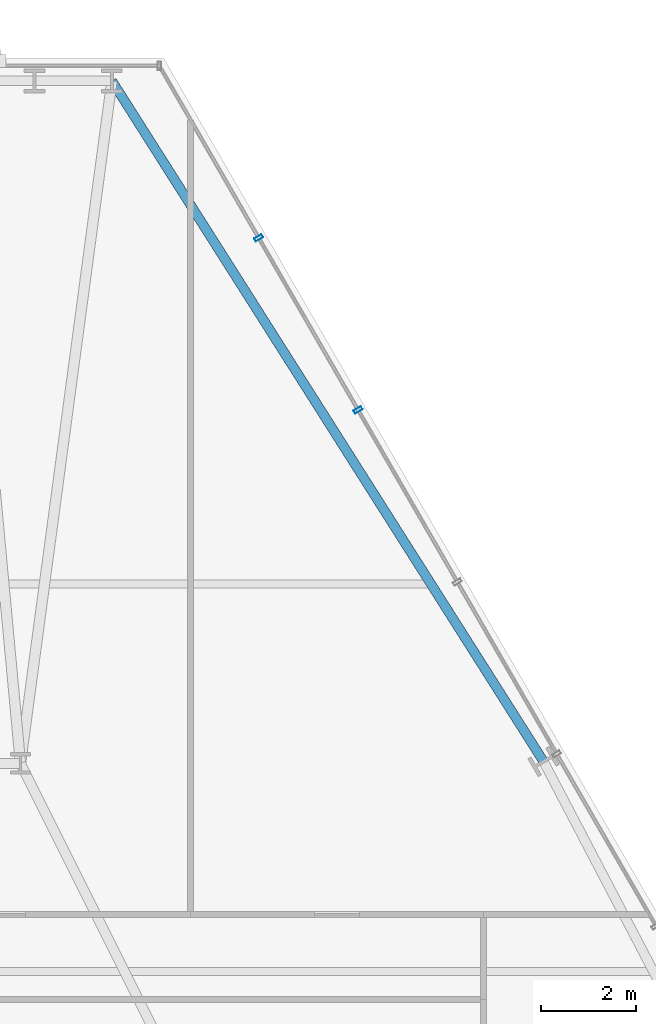
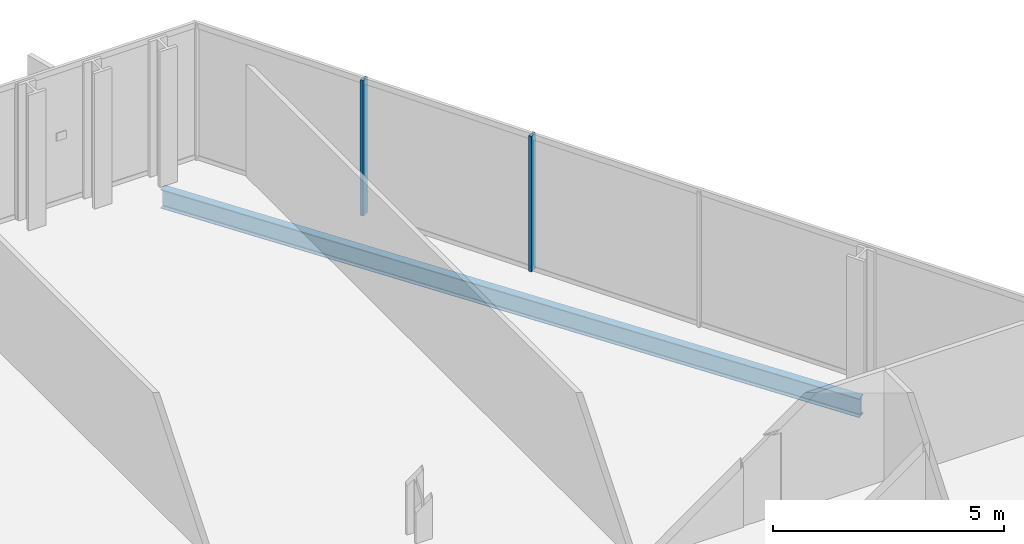
# One storey, part 23 of 31: 2 members, 1 beam, 1 element without a shape of its own.
"""IFC4 building model written with IfcOpenShell, lengths in metres."""

from ifc_helpers import new_model, si_unit, direction, frame, origin, origin_2d, place, context, subcontext, project, spatial, hollow_rectangle, i_section, extrude, material, layer, layer_set, material_profile, profile_set, type_object, element, aggregate, save


model = new_model("IFC4")

# Units and contexts
model_context = context("Model", 3, precision=1e-05, world=origin(), true_north=direction((0.0, 1.0)))
body_context = subcontext(model_context, "Body", "Model", "MODEL_VIEW")
ifc_project = project(units=[si_unit("LENGTHUNIT", "METRE"), si_unit("AREAUNIT", "SQUARE_METRE"), si_unit("VOLUMEUNIT", "CUBIC_METRE"), si_unit("PLANEANGLEUNIT", "RADIAN"), si_unit("MASSUNIT", "GRAM", prefix="KILO")], contexts=[model_context])

# Site, building, storey
site_placement = place(None, origin())
site = spatial("IfcSite", under=ifc_project, at=site_placement, CompositionType="ELEMENT")
building_placement = place(site_placement, origin())
building = spatial("IfcBuilding", under=site, at=building_placement, Name="Ndaravel Arena Tower", CompositionType="ELEMENT")
storey_placement = place(building_placement, frame((0.0, 0.0, 104.39990234375)))
storey = spatial("IfcBuildingStorey", under=building, at=storey_placement, Name="L24", CompositionType="ELEMENT", Elevation=104.39990234375)

# Beam
ifc_material_1 = material(Name="Steel S355", Category="steel")
ifc_material_profile_1 = material_profile(ifc_material_1, i_section(OverallWidth=0.199951171875, OverallDepth=0.5, WebThickness=0.01025390625, FlangeThickness=0.01611328125, FilletRadius=0.02099609375, at=origin_2d()), Name="IPE 500")
ifc_profile_set_1 = profile_set([ifc_material_profile_1], Name="Steel S355")
beam_type = type_object("IfcBeamType", Name="BM-SPAN-IPE500", PredefinedType="SPANDREL", material=ifc_profile_set_1)
beam_placement = place(storey_placement, frame((56.87109375, 31.23779296875, -0.469970703125), z_axis=(-0.535583851753, 0.844482052942, 0.0), x_axis=(-0.844482052942, -0.535583851753, 0.0)))
element("IfcBeam", 1, at=beam_placement, inside=storey, type_object=beam_type, Name="L24 Perimeter Spandrel Beam SP-10", PredefinedType="SPANDREL", context=body_context, shape_type="SweptSolid", body=[
    extrude(i_section(OverallWidth=0.199951171875, OverallDepth=0.5, WebThickness=0.01025390625, FlangeThickness=0.01611328125, FilletRadius=0.02099609375, at=origin_2d()), origin(), (0.0, 0.0, 1.0), 17.0576171875),
])

# Curtain wall, members
ifc_material_2 = material(Name="Aluminium", Category="aluminium")
ifc_layer = layer(ifc_material_2, 0.179931640625)
ifc_layer_set = layer_set([ifc_layer], Name="Aluminium")
curtain_wall_type = type_object("IfcCurtainWallType", Name="CW-SYS-03", PredefinedType="NOTDEFINED", material=ifc_layer_set)
curtain_wall_placement = place(storey_placement, origin())
curtain_wall = element("IfcCurtainWall", 2, at=curtain_wall_placement, inside=storey, type_object=curtain_wall_type, Name="L24 Faceted Crystal Curtain Wall CW-L24-E03", PredefinedType="NOTDEFINED")
ifc_material_3 = material(Name="Aluminium", Category="aluminium")
ifc_material_profile_2 = material_profile(ifc_material_3, hollow_rectangle(XDim=0.074951171875, YDim=0.179931640625, WallThickness=0.00390625, at=origin_2d()), Name="CW MULLION 75x180x4")
ifc_profile_set_2 = profile_set([ifc_material_profile_2], Name="Aluminium")
member_type = type_object("IfcMemberType", Name="MEM-CW-MUL180", PredefinedType="MULLION", material=ifc_profile_set_2)
member_1_placement = place(storey_placement, frame((52.94384765625, 38.68017578125, 0.0), z_axis=(0.0, 0.0, 1.0), x_axis=(-0.5, 0.866025403784, 0.0)))
member_1 = element("IfcMember", 3, at=member_1_placement, type_object=member_type, Name="CW-L24-E03 Mullion 06", PredefinedType="MULLION", context=body_context, shape_type="SweptSolid", body=[
    extrude(hollow_rectangle(XDim=0.074951171875, YDim=0.179931640625, WallThickness=0.00390625, at=origin_2d()), origin(), (0.0, 0.0, 1.0), 3.580078125),
])
member_2_placement = place(storey_placement, frame((50.841552734375, 42.3212890625, 0.0), z_axis=(0.0, 0.0, 1.0), x_axis=(-0.5, 0.866025403784, 0.0)))
member_2 = element("IfcMember", 4, at=member_2_placement, type_object=member_type, Name="CW-L24-E03 Mullion 07", PredefinedType="MULLION", context=body_context, shape_type="SweptSolid", body=[
    extrude(hollow_rectangle(XDim=0.074951171875, YDim=0.179931640625, WallThickness=0.00390625, at=origin_2d()), origin(), (0.0, 0.0, 1.0), 3.580078125),
])
aggregate(curtain_wall, [member_1, member_2])

save(model, "model.ifc")
